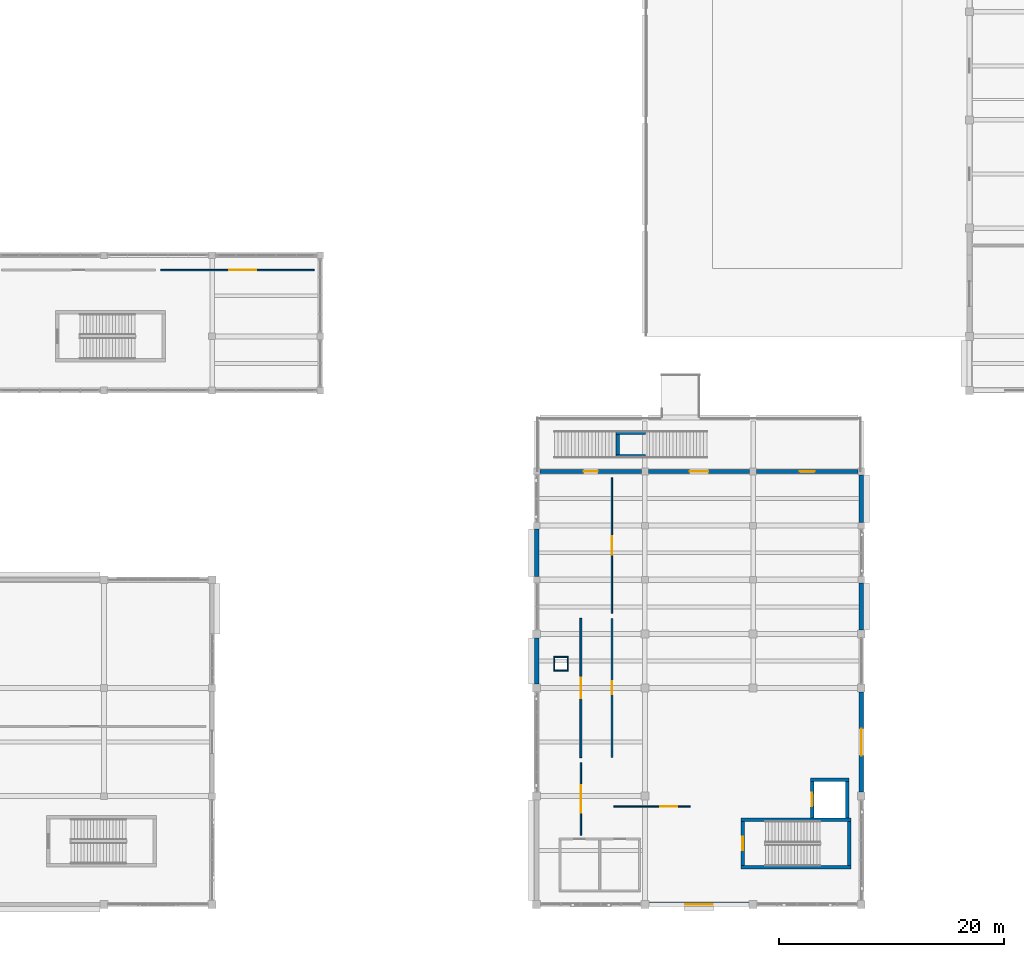
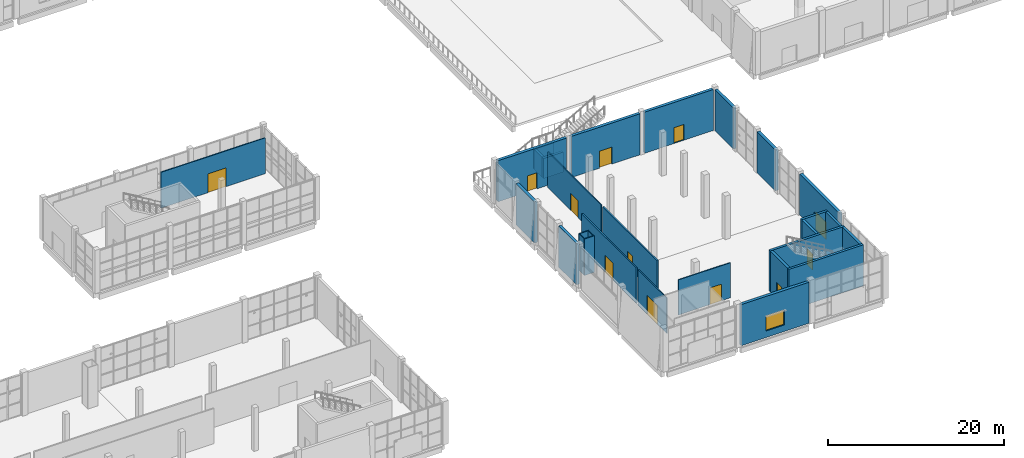
# One storey, part 55 of 84: 29 walls, 12 doors, 1 window, 13 openings.
"""IFC4 building model written with IfcOpenShell, lengths in metres."""

from ifc_helpers import new_model, si_unit, direction, frame, frame_2d, origin, place, context, subcontext, project, spatial, rectangle, extrude, material, layer, layer_set, type_object, element, fill, save


model = new_model("IFC4")

# Units and contexts
model_context = context("Model", 3, precision=1e-05, world=origin(), true_north=direction((0.0, 1.0)))
body_context = subcontext(model_context, "Body", "Model", "MODEL_VIEW")
ifc_project = project(units=[si_unit("LENGTHUNIT", "METRE"), si_unit("AREAUNIT", "SQUARE_METRE"), si_unit("VOLUMEUNIT", "CUBIC_METRE"), si_unit("PLANEANGLEUNIT", "RADIAN"), si_unit("MASSUNIT", "GRAM", prefix="KILO")], contexts=[model_context])

# Site, building, storey
site_placement = place(None, origin())
site = spatial("IfcSite", under=ifc_project, at=site_placement, CompositionType="ELEMENT")
building_placement = place(site_placement, origin())
building = spatial("IfcBuilding", under=site, at=building_placement, Name="Shalvenor Court Art Gallery", CompositionType="ELEMENT")
storey_placement = place(building_placement, origin())
storey = spatial("IfcBuildingStorey", under=building, at=storey_placement, Name="L00", CompositionType="ELEMENT", Elevation=0.0)

# Walls
ifc_material_1 = material(Name="Concrete C40/50", Category="concrete")
ifc_layer_1 = layer(ifc_material_1, 0.31005859375, Name="Concrete C40/50")
ifc_layer_set_1 = layer_set([ifc_layer_1], Name="Concrete C40/50")
wall_type_1 = type_object("IfcWallType", Name="CW-W2", PredefinedType="SHEAR", material=ifc_layer_set_1)
wall_1_placement = place(storey_placement, frame((114.1279296875, 7.51708984375, 0.0), z_axis=(0.0, 0.0, 1.0), x_axis=(1.0, 0.0, 0.0)))
element("IfcWall", 1, at=wall_1_placement, inside=storey, type_object=wall_type_1, Name="L00 C4 Stair Core Shear Wall N", PredefinedType="SHEAR", context=body_context, shape_type="SweptSolid", body=[
    extrude(rectangle(XDim=9.744140625, YDim=0.31005859375, at=frame_2d((4.8720703125, 0.0))), origin(), (0.0, 0.0, 1.0), 5.679931640625),
])
wall_2_placement = place(storey_placement, frame((123.717041015625, 7.362060546875, 0.0), z_axis=(0.0, 0.0, 1.0), x_axis=(0.0, -1.0, 0.0)))
element("IfcWall", 2, at=wall_2_placement, inside=storey, type_object=wall_type_1, Name="L00 C4 Stair Core Shear Wall E", PredefinedType="SHEAR", context=body_context, shape_type="SweptSolid", body=[
    extrude(rectangle(XDim=3.924072265625, YDim=0.31005859375, at=frame_2d((1.9619140625, 0.0))), origin(), (0.0, 0.0, 1.0), 5.679931640625),
])
wall_3_placement = place(storey_placement, frame((123.8720703125, 3.282958984375, 0.0), z_axis=(0.0, 0.0, 1.0), x_axis=(-1.0, 0.0, 0.0)))
element("IfcWall", 3, at=wall_3_placement, inside=storey, type_object=wall_type_1, Name="L00 C4 Stair Core Shear Wall S", PredefinedType="SHEAR", context=body_context, shape_type="SweptSolid", body=[
    extrude(rectangle(XDim=9.744140625, YDim=0.31005859375, at=frame_2d((4.8720703125, 0.0))), origin(), (0.0, 0.0, 1.0), 5.679931640625),
])

# Wall, opening, door
wall_4_placement = place(storey_placement, frame((114.282958984375, 3.43798828125, 0.0), z_axis=(0.0, 0.0, 1.0), x_axis=(0.0, 1.0, 0.0)))
wall_4 = element("IfcWall", 4, at=wall_4_placement, inside=storey, type_object=wall_type_1, Name="L00 C4 Stair Core Shear Wall W", PredefinedType="SHEAR", context=body_context, shape_type="SweptSolid", body=[
    extrude(rectangle(XDim=3.924072265625, YDim=0.31005859375, at=frame_2d((1.9619140625, 0.0))), origin(), (0.0, 0.0, 1.0), 5.679931640625),
])
opening_1_placement = place(wall_4_placement, frame((1.362060546875, 0.0, 0.0)))
opening_1 = element("IfcOpeningElement", 5, at=opening_1_placement, cuts=wall_4, Name="Opening FD-01", PredefinedType="OPENING", context=body_context, shape_type="SweptSolid", body=[
    extrude(rectangle(XDim=1.199951171875, YDim=2.199951171875, at=frame_2d((0.60009765625, 1.10009765625))), frame((0.0, 0.1650390625, 0.0), z_axis=(0.0, -1.0, 0.0), x_axis=(1.0, 0.0, 0.0)), (0.0, 0.0, 1.0), 0.330078125),
])
ifc_material_2 = material(Name="Fire-rated steel stair doorset", Category="steel")
door_type_1 = type_object("IfcDoorType", Name="FD-01", OperationType="NOTDEFINED", PredefinedType="DOOR", material=ifc_material_2)
door_1_placement = place(opening_1_placement, origin())
door_1 = element("IfcDoor", 6, at=door_1_placement, inside=storey, type_object=door_type_1, Name="DR-ST-L00-C4 L00 ST-04 Fire Stair Door", OperationType="SINGLE_SWING_LEFT", OverallHeight=2.199951171875, OverallWidth=1.199951171875, PredefinedType="DOOR", context=body_context, shape_type="SweptSolid", body=[
    extrude(rectangle(XDim=1.199951171875, YDim=2.199951171875, at=frame_2d((0.60009765625, 1.10009765625))), frame((0.0, 0.02490234375, 0.0), z_axis=(0.0, -1.0, 0.0), x_axis=(1.0, 0.0, 0.0)), (0.0, 0.0, 1.0), 0.050048828125),
])
fill(opening_1, door_1)

# Walls
wall_5_placement = place(storey_placement, frame((120.2900390625, 11.054931640625, 0.0), z_axis=(0.0, 0.0, 1.0), x_axis=(1.0, 0.0, 0.0)))
element("IfcWall", 7, at=wall_5_placement, inside=storey, type_object=wall_type_1, Name="L00 PL-02 Lift Shaft Wall N", PredefinedType="SHEAR", context=body_context, shape_type="SweptSolid", body=[
    extrude(rectangle(XDim=3.419921875, YDim=0.31005859375, at=frame_2d((1.7099609375, 0.0))), origin(), (0.0, 0.0, 1.0), 5.679931640625),
])
wall_6_placement = place(storey_placement, frame((123.554931640625, 10.89990234375, 0.0), z_axis=(0.0, 0.0, 1.0), x_axis=(0.0, -1.0, 0.0)))
element("IfcWall", 8, at=wall_6_placement, inside=storey, type_object=wall_type_1, Name="L00 PL-02 Lift Shaft Wall E", PredefinedType="SHEAR", context=body_context, shape_type="SweptSolid", body=[
    extrude(rectangle(XDim=3.227783203125, YDim=0.31005859375, at=frame_2d((1.61376953125, 0.0))), origin(), (0.0, 0.0, 1.0), 5.679931640625),
])

# Wall, opening, door
wall_7_placement = place(storey_placement, frame((120.445068359375, 7.672119140625, 0.0), z_axis=(0.0, 0.0, 1.0), x_axis=(0.0, 1.0, 0.0)))
wall_7 = element("IfcWall", 9, at=wall_7_placement, inside=storey, type_object=wall_type_1, Name="L00 PL-02 Lift Shaft Wall W", PredefinedType="SHEAR", context=body_context, shape_type="SweptSolid", body=[
    extrude(rectangle(XDim=3.227783203125, YDim=0.31005859375, at=frame_2d((1.61376953125, 0.0))), origin(), (0.0, 0.0, 1.0), 5.679931640625),
])
opening_2_placement = place(wall_7_placement, frame((1.013916015625, 0.0, 0.0)))
opening_2 = element("IfcOpeningElement", 10, at=opening_2_placement, cuts=wall_7, Name="Opening LD-02", PredefinedType="OPENING", context=body_context, shape_type="SweptSolid", body=[
    extrude(rectangle(XDim=1.199951171875, YDim=2.199951171875, at=frame_2d((0.60009765625, 1.10009765625))), frame((0.0, 0.1650390625, 0.0), z_axis=(0.0, -1.0, 0.0), x_axis=(1.0, 0.0, 0.0)), (0.0, 0.0, 1.0), 0.330078125),
])
ifc_material_3 = material(Name="Brushed stainless passenger lift sliding landing door", Category="steel")
door_type_2 = type_object("IfcDoorType", Name="LD-02", OperationType="NOTDEFINED", PredefinedType="DOOR", material=ifc_material_3)
door_2_placement = place(opening_2_placement, origin())
door_2 = element("IfcDoor", 11, at=door_2_placement, inside=storey, type_object=door_type_2, Name="DR-LD-L00-PL-02 L00 PL-02 Lift Landing Sliding Door", OperationType="DOUBLE_DOOR_SLIDING", OverallHeight=2.199951171875, OverallWidth=1.199951171875, PredefinedType="DOOR", context=body_context, shape_type="SweptSolid", body=[
    extrude(rectangle(XDim=1.199951171875, YDim=2.199951171875, at=frame_2d((0.60009765625, 1.10009765625))), frame((0.0, 0.02490234375, 0.0), z_axis=(0.0, -1.0, 0.0), x_axis=(1.0, 0.0, 0.0)), (0.0, 0.0, 1.0), 0.050048828125),
])
fill(opening_2, door_2)

# Walls
ifc_material_4 = material(Name="Concrete C40/50", Category="concrete")
ifc_layer_2 = layer(ifc_material_4, 0.31005859375, Name="Concrete C40/50")
ifc_layer_set_2 = layer_set([ifc_layer_2], Name="Concrete C40/50")
wall_type_2 = type_object("IfcWallType", Name="CW-W4", PredefinedType="SHEAR", material=ifc_layer_set_2)
for number, where, z_axis, x_axis, name in (
    (12, (103.050048828125, 39.75, 0.0), (0.0, 0.0, 1.0), (1.0, 0.0, 0.0), "L00 ST-T2 Terrace Stair Support Pier S"),
    (13, (105.64990234375, 41.85009765625, 0.0), (0.0, 0.0, 1.0), (-1.0, 0.0, 0.0), "L00 ST-T2 Terrace Stair Support Pier N"),
):
    element("IfcWall", number, at=place(storey_placement, frame(where, z_axis=z_axis, x_axis=x_axis)), inside=storey, type_object=wall_type_2, Name=name, PredefinedType="SHEAR", context=body_context, shape_type="SweptSolid", body=[
        extrude(rectangle(XDim=2.599853515625, YDim=0.31005859375, at=frame_2d((1.2998046875, 0.0))), origin(), (0.0, 0.0, 1.0), 2.784912109375),
    ])
wall_8_placement = place(storey_placement, frame((103.199951171875, 39.919921875, 0.0), z_axis=(0.0, 0.0, 1.0), x_axis=(0.0, 1.0, 0.0)))
element("IfcWall", 14, at=wall_8_placement, inside=storey, type_object=wall_type_2, Name="L00 ST-T2 Terrace Stair Support Pier W", PredefinedType="SHEAR", context=body_context, shape_type="SweptSolid", body=[
    extrude(rectangle(XDim=1.760009765625, YDim=0.31005859375, at=frame_2d((0.8798828125, 0.0))), origin(), (0.0, 0.0, 1.0), 2.784912109375),
])

# Wall, opening, door
ifc_material_5 = material(Name="Concrete C40/50", Category="concrete")
ifc_layer_3 = layer(ifc_material_5, 0.3798828125, Name="Concrete C40/50")
ifc_layer_set_3 = layer_set([ifc_layer_3], Name="Concrete C40/50")
wall_type_3 = type_object("IfcWallType", Name="EW-03", PredefinedType="SOLIDWALL", material=ifc_layer_set_3)
wall_9_placement = place(storey_placement, frame((96.300048828125, 38.39990234375, 0.0), z_axis=(0.0, 0.0, 1.0), x_axis=(1.0, 0.0, 0.0)))
wall_9 = element("IfcWall", 15, at=wall_9_placement, inside=storey, type_object=wall_type_3, Name="L00 V3 Exterior Wall WL-L00-0178", PredefinedType="SOLIDWALL", context=body_context, shape_type="SweptSolid", body=[
    extrude(rectangle(XDim=9.0, YDim=0.3798828125, at=frame_2d((4.5, 0.0))), origin(), (0.0, 0.0, 1.0), 5.679931640625),
])
opening_3_placement = place(wall_9_placement, frame((3.875, 0.0, 0.0)))
opening_3 = element("IfcOpeningElement", 16, at=opening_3_placement, cuts=wall_9, Name="Opening TD-04", PredefinedType="OPENING", context=body_context, shape_type="SweptSolid", body=[
    extrude(rectangle(XDim=1.25, YDim=2.25, at=frame_2d((0.625, 1.125))), frame((0.0, 0.199951171875, 0.0), z_axis=(0.0, -1.0, 0.0), x_axis=(1.0, 0.0, 0.0)), (0.0, 0.0, 1.0), 0.39990234375),
])
ifc_material_6 = material(Name="Anodised aluminium glazed terrace door", Category="aluminium")
door_type_3 = type_object("IfcDoorType", Name="TD-04", OperationType="NOTDEFINED", PredefinedType="DOOR", material=ifc_material_6)
door_3_placement = place(opening_3_placement, origin())
door_3 = element("IfcDoor", 17, at=door_3_placement, inside=storey, type_object=door_type_3, Name="DR-TR-028 L00 Gallery Terrace Door", OperationType="SINGLE_SWING_RIGHT", OverallHeight=2.25, OverallWidth=1.25, PredefinedType="DOOR", context=body_context, shape_type="SweptSolid", body=[
    extrude(rectangle(XDim=1.25, YDim=2.25, at=frame_2d((0.625, 1.125))), frame((0.0, 0.02490234375, 0.0), z_axis=(0.0, -1.0, 0.0), x_axis=(1.0, 0.0, 0.0)), (0.0, 0.0, 1.0), 0.050048828125),
])
fill(opening_3, door_3)

wall_10_placement = place(storey_placement, frame((105.89990234375, 38.39990234375, 0.0), z_axis=(0.0, 0.0, 1.0), x_axis=(1.0, 0.0, 0.0)))
wall_10 = element("IfcWall", 18, at=wall_10_placement, inside=storey, type_object=wall_type_3, Name="L00 V3 Exterior Wall WL-L00-0179", PredefinedType="SOLIDWALL", context=body_context, shape_type="SweptSolid", body=[
    extrude(rectangle(XDim=9.0, YDim=0.3798828125, at=frame_2d((4.5, 0.0))), origin(), (0.0, 0.0, 1.0), 5.679931640625),
])
opening_4_placement = place(wall_10_placement, frame((3.675048828125, 0.0, 0.0)))
opening_4 = element("IfcOpeningElement", 19, at=opening_4_placement, cuts=wall_10, Name="Opening TD-05", PredefinedType="OPENING", context=body_context, shape_type="SweptSolid", body=[
    extrude(rectangle(XDim=1.64990234375, YDim=2.35009765625, at=frame_2d((0.824951171875, 1.175048828125))), frame((0.0, 0.199951171875, 0.0), z_axis=(0.0, -1.0, 0.0), x_axis=(1.0, 0.0, 0.0)), (0.0, 0.0, 1.0), 0.39990234375),
])
ifc_material_7 = material(Name="Anodised aluminium glazed terrace door", Category="aluminium")
door_type_4 = type_object("IfcDoorType", Name="TD-05", OperationType="NOTDEFINED", PredefinedType="DOOR", material=ifc_material_7)
door_4_placement = place(opening_4_placement, origin())
door_4 = element("IfcDoor", 20, at=door_4_placement, inside=storey, type_object=door_type_4, Name="DR-TR-029 L00 Gallery Terrace Door", OperationType="DOUBLE_DOOR_SINGLE_SWING", OverallHeight=2.35009765625, OverallWidth=1.64990234375, PredefinedType="DOOR", context=body_context, shape_type="SweptSolid", body=[
    extrude(rectangle(XDim=1.64990234375, YDim=2.35009765625, at=frame_2d((0.824951171875, 1.175048828125))), frame((0.0, 0.02490234375, 0.0), z_axis=(0.0, -1.0, 0.0), x_axis=(1.0, 0.0, 0.0)), (0.0, 0.0, 1.0), 0.050048828125),
])
fill(opening_4, door_4)

wall_11_placement = place(storey_placement, frame((115.5, 38.39990234375, 0.0), z_axis=(0.0, 0.0, 1.0), x_axis=(1.0, 0.0, 0.0)))
wall_11 = element("IfcWall", 21, at=wall_11_placement, inside=storey, type_object=wall_type_3, Name="L00 V3 Exterior Wall WL-L00-0180", PredefinedType="SOLIDWALL", context=body_context, shape_type="SweptSolid", body=[
    extrude(rectangle(XDim=9.0, YDim=0.3798828125, at=frame_2d((4.5, 0.0))), origin(), (0.0, 0.0, 1.0), 5.679931640625),
])
opening_5_placement = place(wall_11_placement, frame((3.824951171875, 0.0, 0.0)))
opening_5 = element("IfcOpeningElement", 22, at=opening_5_placement, cuts=wall_11, Name="Opening TD-06", PredefinedType="OPENING", context=body_context, shape_type="SweptSolid", body=[
    extrude(rectangle(XDim=1.35009765625, YDim=2.199951171875, at=frame_2d((0.675048828125, 1.10009765625))), frame((0.0, 0.199951171875, 0.0), z_axis=(0.0, -1.0, 0.0), x_axis=(1.0, 0.0, 0.0)), (0.0, 0.0, 1.0), 0.39990234375),
])
ifc_material_8 = material(Name="Anodised aluminium glazed terrace door", Category="aluminium")
door_type_5 = type_object("IfcDoorType", Name="TD-06", OperationType="NOTDEFINED", PredefinedType="DOOR", material=ifc_material_8)
door_5_placement = place(opening_5_placement, origin())
door_5 = element("IfcDoor", 23, at=door_5_placement, inside=storey, type_object=door_type_5, Name="DR-TR-030 L00 Gallery Terrace Door", OperationType="SINGLE_SWING_LEFT", OverallHeight=2.199951171875, OverallWidth=1.35009765625, PredefinedType="DOOR", context=body_context, shape_type="SweptSolid", body=[
    extrude(rectangle(XDim=1.35009765625, YDim=2.199951171875, at=frame_2d((0.675048828125, 1.10009765625))), frame((0.0, 0.02490234375, 0.0), z_axis=(0.0, -1.0, 0.0), x_axis=(1.0, 0.0, 0.0)), (0.0, 0.0, 1.0), 0.050048828125),
])
fill(opening_5, door_5)

# Walls
wall_12_placement = place(storey_placement, frame((124.800048828125, 38.10009765625, 0.0), z_axis=(0.0, 0.0, 1.0), x_axis=(0.0, -1.0, 0.0)))
element("IfcWall", 24, at=wall_12_placement, inside=storey, type_object=wall_type_3, Name="L00 V3 Exterior Wall WL-L00-0181", PredefinedType="SOLIDWALL", context=body_context, shape_type="SweptSolid", body=[
    extrude(rectangle(XDim=4.2001953125, YDim=0.3798828125, at=frame_2d((2.10009765625, 0.0))), origin(), (0.0, 0.0, 1.0), 5.679931640625),
])
wall_13_placement = place(storey_placement, frame((124.800048828125, 28.5, 0.0), z_axis=(0.0, 0.0, 1.0), x_axis=(0.0, -1.0, 0.0)))
element("IfcWall", 25, at=wall_13_placement, inside=storey, type_object=wall_type_3, Name="L00 V3 Exterior Wall WL-L00-0182", PredefinedType="SOLIDWALL", context=body_context, shape_type="SweptSolid", body=[
    extrude(rectangle(XDim=4.14990234375, YDim=0.3798828125, at=frame_2d((2.074951171875, 0.0))), origin(), (0.0, 0.0, 1.0), 5.679931640625),
])

# Wall, opening, door
wall_14_placement = place(storey_placement, frame((124.800048828125, 18.85009765625, 0.0), z_axis=(0.0, 0.0, 1.0), x_axis=(0.0, -1.0, 0.0)))
wall_14 = element("IfcWall", 26, at=wall_14_placement, inside=storey, type_object=wall_type_3, Name="L00 V3 Exterior Wall WL-L00-0183", PredefinedType="SOLIDWALL", context=body_context, shape_type="SweptSolid", body=[
    extrude(rectangle(XDim=8.900146484375, YDim=0.3798828125, at=frame_2d((4.4501953125, 0.0))), origin(), (0.0, 0.0, 1.0), 5.679931640625),
])
opening_6_placement = place(wall_14_placement, frame((3.25, 0.0, 0.0)))
opening_6 = element("IfcOpeningElement", 27, at=opening_6_placement, cuts=wall_14, Name="Opening ED-02", PredefinedType="OPENING", context=body_context, shape_type="SweptSolid", body=[
    extrude(rectangle(XDim=2.39990234375, YDim=2.39990234375, at=frame_2d((1.199951171875, 1.199951171875))), frame((0.0, 0.199951171875, 0.0), z_axis=(0.0, -1.0, 0.0), x_axis=(1.0, 0.0, 0.0)), (0.0, 0.0, 1.0), 0.39990234375),
])
ifc_material_9 = material(Name="Anodised bronze glazed exit doorset", Category="aluminium")
door_type_6 = type_object("IfcDoorType", Name="ED-02", OperationType="NOTDEFINED", PredefinedType="DOOR", material=ifc_material_9)
door_6_placement = place(opening_6_placement, origin())
door_6 = element("IfcDoor", 28, at=door_6_placement, inside=storey, type_object=door_type_6, Name="DR-EX-17 L00 Pedestrian Final Exit Door", OperationType="DOUBLE_DOOR_SINGLE_SWING", OverallHeight=2.39990234375, OverallWidth=2.39990234375, PredefinedType="DOOR", context=body_context, shape_type="SweptSolid", body=[
    extrude(rectangle(XDim=2.39990234375, YDim=2.39990234375, at=frame_2d((1.199951171875, 1.199951171875))), frame((0.0, 0.02490234375, 0.0), z_axis=(0.0, -1.0, 0.0), x_axis=(1.0, 0.0, 0.0)), (0.0, 0.0, 1.0), 0.050048828125),
])
fill(opening_6, door_6)

# Wall, opening, window
wall_15_placement = place(storey_placement, frame((114.85009765625, 0.0, 0.0), z_axis=(0.0, 0.0, 1.0), x_axis=(-1.0, 0.0, 0.0)))
wall_15 = element("IfcWall", 29, at=wall_15_placement, inside=storey, type_object=wall_type_3, Name="L00 V3 Exterior Wall WL-L00-0184", PredefinedType="SOLIDWALL", context=body_context, shape_type="SweptSolid", body=[
    extrude(rectangle(XDim=8.900146484375, YDim=0.3798828125, at=frame_2d((4.4501953125, 0.0))), origin(), (0.0, 0.0, 1.0), 5.679931640625),
])
opening_7_placement = place(wall_15_placement, frame((3.25, 0.0, 0.89990234375)))
opening_7 = element("IfcOpeningElement", 30, at=opening_7_placement, cuts=wall_15, Name="Opening WN-06", PredefinedType="OPENING", context=body_context, shape_type="SweptSolid", body=[
    extrude(rectangle(XDim=2.39990234375, YDim=2.10009765625, at=frame_2d((1.199951171875, 1.050048828125))), frame((0.0, 0.199951171875, 0.0), z_axis=(0.0, -1.0, 0.0), x_axis=(1.0, 0.0, 0.0)), (0.0, 0.0, 1.0), 0.39990234375),
])
ifc_material_10 = material(Name="Low-iron solar-control double IGU", Category="glass")
window_type = type_object("IfcWindowType", Name="WN-06", PartitioningType="SINGLE_PANEL", PredefinedType="WINDOW", material=ifc_material_10)
window_placement = place(opening_7_placement, origin())
window = element("IfcWindow", 31, at=window_placement, inside=storey, type_object=window_type, Name="L00 Window WIN-L00-0050", OverallHeight=2.10009765625, OverallWidth=2.39990234375, PartitioningType="SINGLE_PANEL", PredefinedType="WINDOW", context=body_context, shape_type="SweptSolid", body=[
    extrude(rectangle(XDim=2.39990234375, YDim=2.10009765625, at=frame_2d((1.199951171875, 1.050048828125))), frame((0.0, 0.030029296875, 0.0), z_axis=(0.0, -1.0, 0.0), x_axis=(1.0, 0.0, 0.0)), (0.0, 0.0, 1.0), 0.06005859375),
])
fill(opening_7, window)

# Walls
wall_16_placement = place(storey_placement, frame((96.0, 19.550048828125, 0.0), z_axis=(0.0, 0.0, 1.0), x_axis=(0.0, 1.0, 0.0)))
element("IfcWall", 32, at=wall_16_placement, inside=storey, type_object=wall_type_3, Name="L00 V3 Exterior Wall WL-L00-0186", PredefinedType="SOLIDWALL", context=body_context, shape_type="SweptSolid", body=[
    extrude(rectangle(XDim=4.099853515625, YDim=0.3798828125, at=frame_2d((2.0498046875, 0.0))), origin(), (0.0, 0.0, 1.0), 5.679931640625),
])
wall_17_placement = place(storey_placement, frame((96.0, 29.10009765625, 0.0), z_axis=(0.0, 0.0, 1.0), x_axis=(0.0, 1.0, 0.0)))
element("IfcWall", 33, at=wall_17_placement, inside=storey, type_object=wall_type_3, Name="L00 V3 Exterior Wall WL-L00-0187", PredefinedType="SOLIDWALL", context=body_context, shape_type="SweptSolid", body=[
    extrude(rectangle(XDim=4.199951171875, YDim=0.3798828125, at=frame_2d((2.10009765625, 0.0))), origin(), (0.0, 0.0, 1.0), 5.679931640625),
])

# Wall, opening, door
ifc_material_11 = material(Name="Plywood-backed acoustic art-hanging partition", Category="wood")
ifc_layer_4 = layer(ifc_material_11, 0.179931640625, Name="Plywood-backed acoustic art-hanging partition")
ifc_layer_set_4 = layer_set([ifc_layer_4], Name="Plywood-backed acoustic art-hanging partition")
wall_type_4 = type_object("IfcWallType", Name="PT-01", PredefinedType="PARTITIONING", material=ifc_layer_set_4)
wall_18_placement = place(storey_placement, frame((102.679931640625, 13.030029296875, 0.0), z_axis=(0.0, 0.0, 1.0), x_axis=(0.0, 1.0, 0.0)))
wall_18 = element("IfcWall", 34, at=wall_18_placement, inside=storey, type_object=wall_type_4, Name="L00 Ceramics And Glass Gallery Partition 605", PredefinedType="PARTITIONING", context=body_context, shape_type="SweptSolid", body=[
    extrude(rectangle(XDim=12.340087890625, YDim=0.179931640625, at=frame_2d((6.169921875, 0.0))), origin(), (0.0, 0.0, 1.0), 4.905029296875),
])
opening_8_placement = place(wall_18_placement, frame((5.594970703125, 0.0, 0.0)))
opening_8 = element("IfcOpeningElement", 35, at=opening_8_placement, cuts=wall_18, Name="Opening ID-10", PredefinedType="OPENING", context=body_context, shape_type="SweptSolid", body=[
    extrude(rectangle(XDim=1.14990234375, YDim=2.199951171875, at=frame_2d((0.574951171875, 1.10009765625))), frame((0.0, 0.099853515625, 0.0), z_axis=(0.0, -1.0, 0.0), x_axis=(1.0, 0.0, 0.0)), (0.0, 0.0, 1.0), 0.199951171875),
])
ifc_material_12 = material(Name="Acoustic conservation lab single doorset", Category="steel")
door_type_7 = type_object("IfcDoorType", Name="ID-10", OperationType="NOTDEFINED", PredefinedType="DOOR", material=ifc_material_12)
door_7_placement = place(opening_8_placement, origin())
door_7 = element("IfcDoor", 36, at=door_7_placement, inside=storey, type_object=door_type_7, Name="DR-RM-L00-0136 L00 Ceramics And Glass Gallery Door", OperationType="SINGLE_SWING_LEFT", OverallHeight=2.199951171875, OverallWidth=1.14990234375, PredefinedType="DOOR", context=body_context, shape_type="SweptSolid", body=[
    extrude(rectangle(XDim=1.14990234375, YDim=2.199951171875, at=frame_2d((0.574951171875, 1.10009765625))), frame((0.0, 0.02490234375, 0.0), z_axis=(0.0, -1.0, 0.0), x_axis=(1.0, 0.0, 0.0)), (0.0, 0.0, 1.0), 0.050048828125),
])
fill(opening_8, door_7)

ifc_material_13 = material(Name="Double-stud acoustic gallery partition", Category="other")
ifc_layer_5 = layer(ifc_material_13, 0.1650390625, Name="Double-stud acoustic gallery partition")
ifc_layer_set_5 = layer_set([ifc_layer_5], Name="Double-stud acoustic gallery partition")
wall_type_5 = type_object("IfcWallType", Name="PT-02", PredefinedType="PARTITIONING", material=ifc_layer_set_5)
wall_19_placement = place(storey_placement, frame((99.919921875, 25.3701171875, 0.0), z_axis=(0.0, 0.0, 1.0), x_axis=(0.0, -1.0, 0.0)))
wall_19 = element("IfcWall", 37, at=wall_19_placement, inside=storey, type_object=wall_type_5, Name="L00 Ceramics And Glass Gallery Wing B Partition 606", PredefinedType="PARTITIONING", context=body_context, shape_type="SweptSolid", body=[
    extrude(rectangle(XDim=12.340087890625, YDim=0.1650390625, at=frame_2d((6.169921875, 0.0))), origin(), (0.0, 0.0, 1.0), 4.905029296875),
])
opening_9_placement = place(wall_19_placement, frame((5.27001953125, 0.0, 0.0)))
opening_9 = element("IfcOpeningElement", 38, at=opening_9_placement, cuts=wall_19, Name="Opening ID-01", PredefinedType="OPENING", context=body_context, shape_type="SweptSolid", body=[
    extrude(rectangle(XDim=1.800048828125, YDim=2.39990234375, at=frame_2d((0.89990234375, 1.199951171875))), frame((0.0, 0.092529296875, 0.0), z_axis=(0.0, -1.0, 0.0), x_axis=(1.0, 0.0, 0.0)), (0.0, 0.0, 1.0), 0.18505859375),
])
ifc_material_14 = material(Name="Oak-veneered acoustic gallery double doorset", Category="wood")
door_type_8 = type_object("IfcDoorType", Name="ID-01", OperationType="NOTDEFINED", PredefinedType="DOOR", material=ifc_material_14)
door_8_placement = place(opening_9_placement, origin())
door_8 = element("IfcDoor", 39, at=door_8_placement, inside=storey, type_object=door_type_8, Name="DR-RM-L00-0137 L00 Ceramics And Glass Gallery Wing B Door", OperationType="DOUBLE_DOOR_SINGLE_SWING", OverallHeight=2.39990234375, OverallWidth=1.800048828125, PredefinedType="DOOR", context=body_context, shape_type="SweptSolid", body=[
    extrude(rectangle(XDim=1.800048828125, YDim=2.39990234375, at=frame_2d((0.89990234375, 1.199951171875))), frame((0.0, 0.02490234375, 0.0), z_axis=(0.0, -1.0, 0.0), x_axis=(1.0, 0.0, 0.0)), (0.0, 0.0, 1.0), 0.050048828125),
])
fill(opening_9, door_8)

ifc_material_15 = material(Name="Insulated studio acoustic partition", Category="other")
ifc_layer_6 = layer(ifc_material_15, 0.135009765625, Name="Insulated studio acoustic partition")
ifc_layer_set_6 = layer_set([ifc_layer_6], Name="Insulated studio acoustic partition")
wall_type_6 = type_object("IfcWallType", Name="PT-04", PredefinedType="PARTITIONING", material=ifc_layer_set_6)
wall_20_placement = place(storey_placement, frame((99.919921875, 12.570068359375, 0.0), z_axis=(0.0, 0.0, 1.0), x_axis=(0.0, -1.0, 0.0)))
wall_20 = element("IfcWall", 40, at=wall_20_placement, inside=storey, type_object=wall_type_6, Name="L00 Sculpture Exhibition Hall Partition 603", PredefinedType="PARTITIONING", context=body_context, shape_type="SweptSolid", body=[
    extrude(rectangle(XDim=6.440185546875, YDim=0.135009765625, at=frame_2d((3.22021484375, 0.0))), origin(), (0.0, 0.0, 1.0), 4.905029296875),
])
opening_10_placement = place(wall_20_placement, frame((2.02001953125, 0.0, 0.0)))
opening_10 = element("IfcOpeningElement", 41, at=opening_10_placement, cuts=wall_20, Name="Opening ID-08", PredefinedType="OPENING", context=body_context, shape_type="SweptSolid", body=[
    extrude(rectangle(XDim=2.39990234375, YDim=2.60009765625, at=frame_2d((1.199951171875, 1.300048828125))), frame((0.0, 0.077392578125, 0.0), z_axis=(0.0, -1.0, 0.0), x_axis=(1.0, 0.0, 0.0)), (0.0, 0.0, 1.0), 0.155029296875),
])
ifc_material_16 = material(Name="Oversized crate gallery portal double doorset", Category="steel")
door_type_9 = type_object("IfcDoorType", Name="ID-08", OperationType="NOTDEFINED", PredefinedType="DOOR", material=ifc_material_16)
door_9_placement = place(opening_10_placement, origin())
door_9 = element("IfcDoor", 42, at=door_9_placement, inside=storey, type_object=door_type_9, Name="DR-RM-L00-0134 L00 Sculpture Exhibition Hall Door", OperationType="DOUBLE_DOOR_SINGLE_SWING", OverallHeight=2.60009765625, OverallWidth=2.39990234375, PredefinedType="DOOR", context=body_context, shape_type="SweptSolid", body=[
    extrude(rectangle(XDim=2.39990234375, YDim=2.60009765625, at=frame_2d((1.199951171875, 1.300048828125))), frame((0.0, 0.02490234375, 0.0), z_axis=(0.0, -1.0, 0.0), x_axis=(1.0, 0.0, 0.0)), (0.0, 0.0, 1.0), 0.050048828125),
])
fill(opening_10, door_9)

wall_21_placement = place(storey_placement, frame((102.679931640625, 25.830078125, 0.0), z_axis=(0.0, 0.0, 1.0), x_axis=(0.0, 1.0, 0.0)))
wall_21 = element("IfcWall", 43, at=wall_21_placement, inside=storey, type_object=wall_type_6, Name="L00 Visitor Cloakroom And Ticketing Partition 607", PredefinedType="PARTITIONING", context=body_context, shape_type="SweptSolid", body=[
    extrude(rectangle(XDim=12.02001953125, YDim=0.135009765625, at=frame_2d((6.010009765625, 0.0))), origin(), (0.0, 0.0, 1.0), 4.905029296875),
])
opening_11_placement = place(wall_21_placement, frame((5.2099609375, 0.0, 0.0)))
opening_11 = element("IfcOpeningElement", 44, at=opening_11_placement, cuts=wall_21, Name="Opening ID-02", PredefinedType="OPENING", context=body_context, shape_type="SweptSolid", body=[
    extrude(rectangle(XDim=1.60009765625, YDim=2.35009765625, at=frame_2d((0.800048828125, 1.175048828125))), frame((0.0, 0.077392578125, 0.0), z_axis=(0.0, -1.0, 0.0), x_axis=(1.0, 0.0, 0.0)), (0.0, 0.0, 1.0), 0.155029296875),
])
ifc_material_17 = material(Name="Oak-veneered gallery double doorset", Category="wood")
door_type_10 = type_object("IfcDoorType", Name="ID-02", OperationType="NOTDEFINED", PredefinedType="DOOR", material=ifc_material_17)
door_10_placement = place(opening_11_placement, origin())
door_10 = element("IfcDoor", 45, at=door_10_placement, inside=storey, type_object=door_type_10, Name="DR-RM-L00-0138 L00 Visitor Cloakroom And Ticketing Door", OperationType="DOUBLE_DOOR_SINGLE_SWING", OverallHeight=2.35009765625, OverallWidth=1.60009765625, PredefinedType="DOOR", context=body_context, shape_type="SweptSolid", body=[
    extrude(rectangle(XDim=1.60009765625, YDim=2.35009765625, at=frame_2d((0.800048828125, 1.175048828125))), frame((0.0, 0.02490234375, 0.0), z_axis=(0.0, -1.0, 0.0), x_axis=(1.0, 0.0, 0.0)), (0.0, 0.0, 1.0), 0.050048828125),
])
fill(opening_11, door_10)

wall_22_placement = place(storey_placement, frame((76.25, 56.280029296875, 0.0), z_axis=(0.0, 0.0, 1.0), x_axis=(-1.0, 0.0, 0.0)))
wall_22 = element("IfcWall", 46, at=wall_22_placement, inside=storey, type_object=wall_type_6, Name="L00 Courtyard Cafe Partition 619", PredefinedType="PARTITIONING", context=body_context, shape_type="SweptSolid", body=[
    extrude(rectangle(XDim=13.6201171875, YDim=0.135009765625, at=frame_2d((6.81005859375, 0.0))), origin(), (0.0, 0.0, 1.0), 4.955078125),
])
opening_12_placement = place(wall_22_placement, frame((5.110107421875, 0.0, 0.0)))
opening_12 = element("IfcOpeningElement", 47, at=opening_12_placement, cuts=wall_22, Name="Opening ID-08", PredefinedType="OPENING", context=body_context, shape_type="SweptSolid", body=[
    extrude(rectangle(XDim=2.39990234375, YDim=2.60009765625, at=frame_2d((1.199951171875, 1.300048828125))), frame((0.0, 0.077392578125, 0.0), z_axis=(0.0, -1.0, 0.0), x_axis=(1.0, 0.0, 0.0)), (0.0, 0.0, 1.0), 0.155029296875),
])
door_11_placement = place(opening_12_placement, origin())
door_11 = element("IfcDoor", 48, at=door_11_placement, inside=storey, type_object=door_type_9, Name="DR-RM-L00-0150 L00 Courtyard Cafe Door", OperationType="DOUBLE_DOOR_SINGLE_SWING", OverallHeight=2.60009765625, OverallWidth=2.39990234375, PredefinedType="DOOR", context=body_context, shape_type="SweptSolid", body=[
    extrude(rectangle(XDim=2.39990234375, YDim=2.60009765625, at=frame_2d((1.199951171875, 1.300048828125))), frame((0.0, 0.02490234375, 0.0), z_axis=(0.0, -1.0, 0.0), x_axis=(1.0, 0.0, 0.0)), (0.0, 0.0, 1.0), 0.050048828125),
])
fill(opening_12, door_11)

ifc_material_18 = material(Name="Lightweight office gypsum partition", Category="other")
ifc_layer_7 = layer(ifc_material_18, 0.1201171875, Name="Lightweight office gypsum partition")
ifc_layer_set_7 = layer_set([ifc_layer_7], Name="Lightweight office gypsum partition")
wall_type_7 = type_object("IfcWallType", Name="PT-05", PredefinedType="PARTITIONING", material=ifc_layer_set_7)
wall_23_placement = place(storey_placement, frame((109.6298828125, 8.679931640625, 0.0), z_axis=(0.0, 0.0, 1.0), x_axis=(-1.0, 0.0, 0.0)))
wall_23 = element("IfcWall", 49, at=wall_23_placement, inside=storey, type_object=wall_type_7, Name="L00 Sculpture Exhibition Hall Wing B Partition 604", PredefinedType="PARTITIONING", context=body_context, shape_type="SweptSolid", body=[
    extrude(rectangle(XDim=6.7998046875, YDim=0.1201171875, at=frame_2d((3.39990234375, 0.0))), origin(), (0.0, 0.0, 1.0), 4.85498046875),
])
opening_13_placement = place(wall_23_placement, frame((1.14990234375, 0.0, 0.0)))
opening_13 = element("IfcOpeningElement", 50, at=opening_13_placement, cuts=wall_23, Name="Opening ID-09", PredefinedType="OPENING", context=body_context, shape_type="SweptSolid", body=[
    extrude(rectangle(XDim=1.5, YDim=2.300048828125, at=frame_2d((0.75, 1.14990234375))), frame((0.0, 0.070068359375, 0.0), z_axis=(0.0, -1.0, 0.0), x_axis=(1.0, 0.0, 0.0)), (0.0, 0.0, 1.0), 0.14013671875),
])
ifc_material_19 = material(Name="Oak-veneered seminar double doorset", Category="wood")
door_type_11 = type_object("IfcDoorType", Name="ID-09", OperationType="NOTDEFINED", PredefinedType="DOOR", material=ifc_material_19)
door_12_placement = place(opening_13_placement, origin())
door_12 = element("IfcDoor", 51, at=door_12_placement, inside=storey, type_object=door_type_11, Name="DR-RM-L00-0135 L00 Sculpture Exhibition Hall Wing B Door", OperationType="DOUBLE_DOOR_SINGLE_SWING", OverallHeight=2.300048828125, OverallWidth=1.5, PredefinedType="DOOR", context=body_context, shape_type="SweptSolid", body=[
    extrude(rectangle(XDim=1.5, YDim=2.300048828125, at=frame_2d((0.75, 1.14990234375))), frame((0.0, 0.02490234375, 0.0), z_axis=(0.0, -1.0, 0.0), x_axis=(1.0, 0.0, 0.0)), (0.0, 0.0, 1.0), 0.050048828125),
])
fill(opening_13, door_12)

# Walls
ifc_material_20 = material(Name="Service riser shaft gypsum partition", Category="other")
ifc_layer_8 = layer(ifc_material_20, 0.10009765625, Name="Service riser shaft gypsum partition")
ifc_layer_set_8 = layer_set([ifc_layer_8], Name="Service riser shaft gypsum partition")
wall_type_8 = type_object("IfcWallType", Name="PT-06", PredefinedType="PARTITIONING", material=ifc_layer_set_8)
for number, where, z_axis, x_axis, name in (
    (52, (97.5, 21.949951171875, 0.0), (0.0, 0.0, 1.0), (1.0, 0.0, 0.0), "L00 Riser Shaft Wall 2.N"),
    (53, (98.800048828125, 20.75, 0.0), (0.0, 0.0, 1.0), (-1.0, 0.0, 0.0), "L00 Riser Shaft Wall 2.S"),
):
    element("IfcWall", number, at=place(storey_placement, frame(where, z_axis=z_axis, x_axis=x_axis)), inside=storey, type_object=wall_type_8, Name=name, PredefinedType="PARTITIONING", context=body_context, shape_type="SweptSolid", body=[
        extrude(rectangle(XDim=1.300048828125, YDim=0.10009765625, at=frame_2d((0.64990234375, 0.0))), origin(), (0.0, 0.0, 1.0), 5.054931640625),
    ])
for number, where, z_axis, x_axis, name in (
    (54, (97.550048828125, 20.800048828125, 0.0), (0.0, 0.0, 1.0), (0.0, 1.0, 0.0), "L00 Riser Shaft Wall 2.W"),
    (55, (98.75, 21.89990234375, 0.0), (0.0, 0.0, 1.0), (0.0, -1.0, 0.0), "L00 Riser Shaft Wall 2.E"),
):
    element("IfcWall", number, at=place(storey_placement, frame(where, z_axis=z_axis, x_axis=x_axis)), inside=storey, type_object=wall_type_8, Name=name, PredefinedType="PARTITIONING", context=body_context, shape_type="SweptSolid", body=[
        extrude(rectangle(XDim=1.099853515625, YDim=0.10009765625, at=frame_2d((0.5498046875, 0.0))), origin(), (0.0, 0.0, 1.0), 5.054931640625),
    ])

save(model, "model.ifc")
